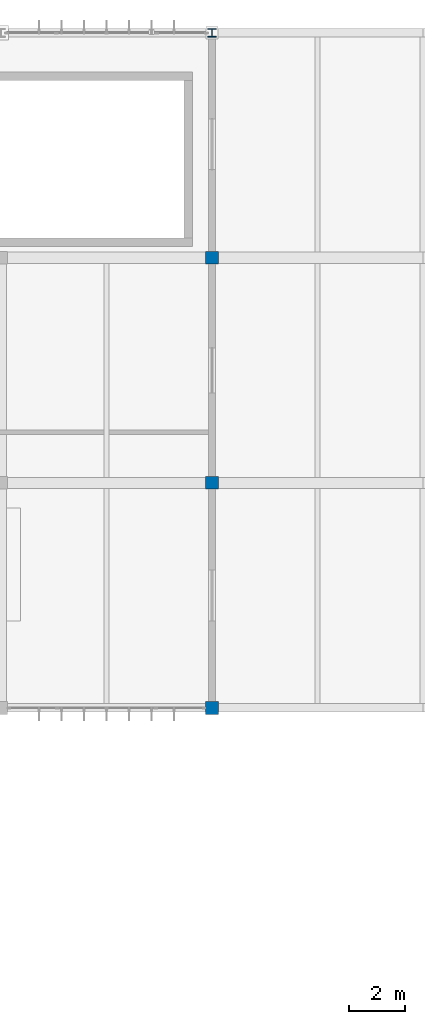
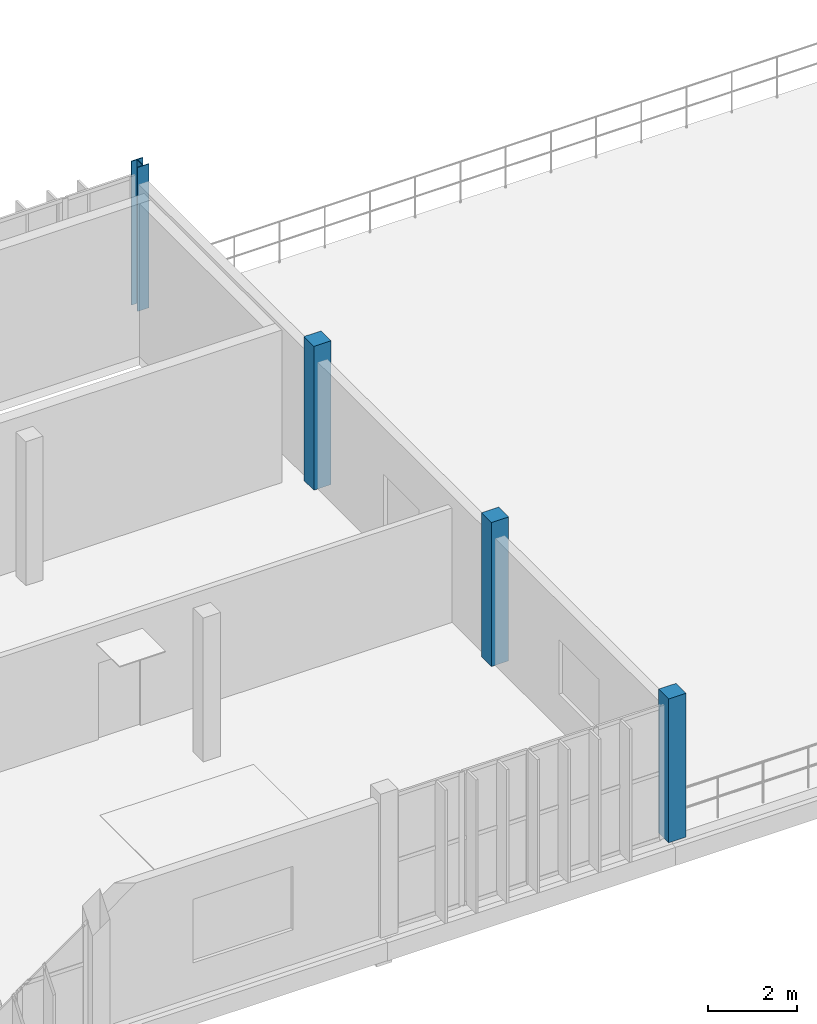
# One storey, part 4 of 26: 4 columns.
"""IFC4 building model written with IfcOpenShell, lengths in metres."""

from ifc_helpers import new_model, si_unit, direction, frame, origin, origin_2d, place, context, subcontext, project, spatial, rectangle, i_section, extrude, material, material_profile, profile_set, type_object, element, save


model = new_model("IFC4")

# Units and contexts
model_context = context("Model", 3, precision=1e-05, world=origin(), true_north=direction((0.0, 1.0)))
body_context = subcontext(model_context, "Body", "Model", "MODEL_VIEW")
ifc_project = project(units=[si_unit("LENGTHUNIT", "METRE"), si_unit("AREAUNIT", "SQUARE_METRE"), si_unit("VOLUMEUNIT", "CUBIC_METRE"), si_unit("PLANEANGLEUNIT", "RADIAN"), si_unit("MASSUNIT", "GRAM", prefix="KILO")], contexts=[model_context])

# Site, building, storey
site_placement = place(None, origin())
site = spatial("IfcSite", under=ifc_project, at=site_placement, CompositionType="ELEMENT")
building_placement = place(site_placement, origin())
building = spatial("IfcBuilding", under=site, at=building_placement, Name="Vourika Railside Aquatics Centre", CompositionType="ELEMENT")
storey_placement = place(building_placement, frame((0.0, 0.0, 17.699951171875)))
storey = spatial("IfcBuildingStorey", under=building, at=storey_placement, Name="L04", CompositionType="ELEMENT", Elevation=17.699951171875)

# Columns
ifc_material_1 = material(Name="Concrete C35/45", Category="concrete")
ifc_material_profile_1 = material_profile(ifc_material_1, rectangle(XDim=0.449951171875, YDim=0.449951171875, at=origin_2d()), Name="RC 450x450")
ifc_profile_set_1 = profile_set([ifc_material_profile_1], Name="Concrete C35/45")
column_type_1 = type_object("IfcColumnType", Name="COL-RC450", PredefinedType="COLUMN", material=ifc_profile_set_1)
for number, where, z_axis, x_axis, name in (
    (1, (88.5, 92.0, 0.0), (0.0, 0.0, 1.0), (1.0, 0.0, 0.0), "Column col:L04:885_920"),
    (2, (88.5, 100.0, 0.0), (0.0, 0.0, 1.0), (1.0, 0.0, 0.0), "Column col:L04:885_1000"),
    (3, (88.5, 108.0, 0.0), (0.0, 0.0, 1.0), (1.0, 0.0, 0.0), "Column col:L04:885_1080"),
):
    element("IfcColumn", number, at=place(storey_placement, frame(where, z_axis=z_axis, x_axis=x_axis)), inside=storey, type_object=column_type_1, Name=name, PredefinedType="COLUMN", context=body_context, shape_type="SweptSolid", body=[
        extrude(rectangle(XDim=0.449951171875, YDim=0.449951171875, at=origin_2d()), origin(), (0.0, 0.0, 1.0), 3.9599609375),
    ])
ifc_material_2 = material(Name="Steel S355J2", Category="steel")
ifc_material_profile_2 = material_profile(ifc_material_2, i_section(OverallWidth=0.300048828125, OverallDepth=0.300048828125, WebThickness=0.010986328125, FlangeThickness=0.01904296875, at=origin_2d()), Name="HEB 300")
ifc_profile_set_2 = profile_set([ifc_material_profile_2], Name="Steel S355J2")
column_type_2 = type_object("IfcColumnType", Name="COL-STL-HEB300", PredefinedType="COLUMN", material=ifc_profile_set_2)
column_placement = place(storey_placement, frame((88.5, 116.0, 0.0), z_axis=(0.0, 0.0, 1.0), x_axis=(1.0, 0.0, 0.0)))
element("IfcColumn", 4, at=column_placement, inside=storey, type_object=column_type_2, Name="Column col:L04:885_1160", PredefinedType="COLUMN", context=body_context, shape_type="SweptSolid", body=[
    extrude(i_section(OverallWidth=0.300048828125, OverallDepth=0.300048828125, WebThickness=0.010986328125, FlangeThickness=0.01904296875, at=origin_2d()), origin(), (0.0, 0.0, 1.0), 3.9599609375),
])

save(model, "model.ifc")
